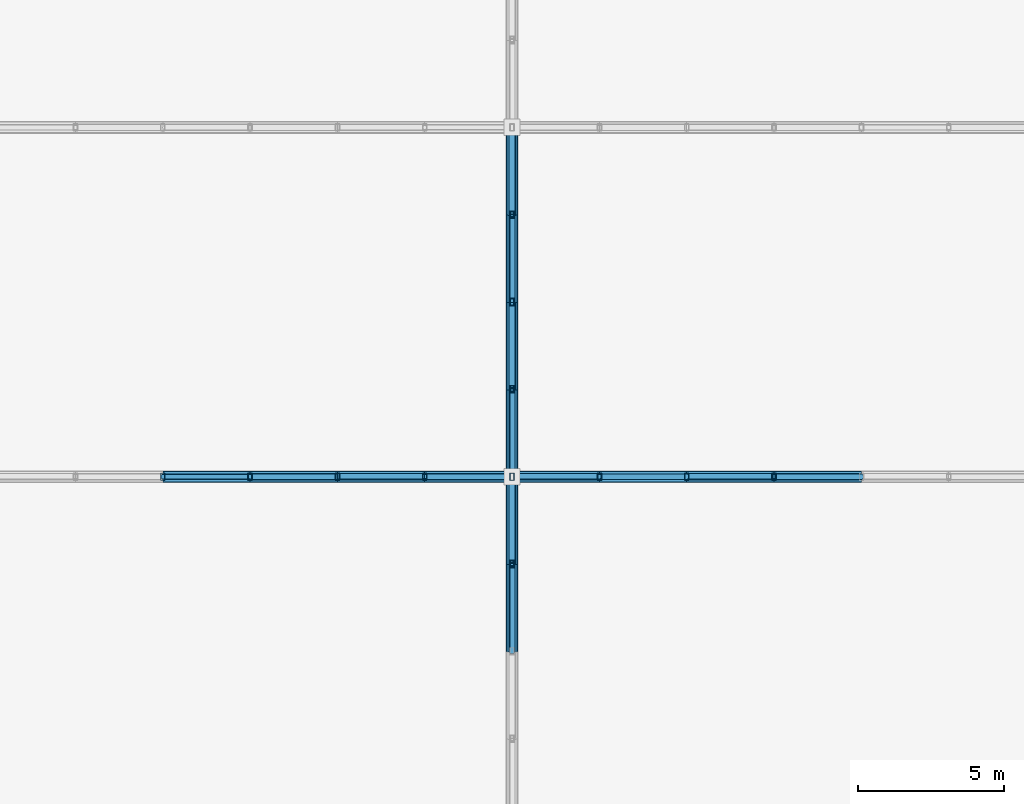
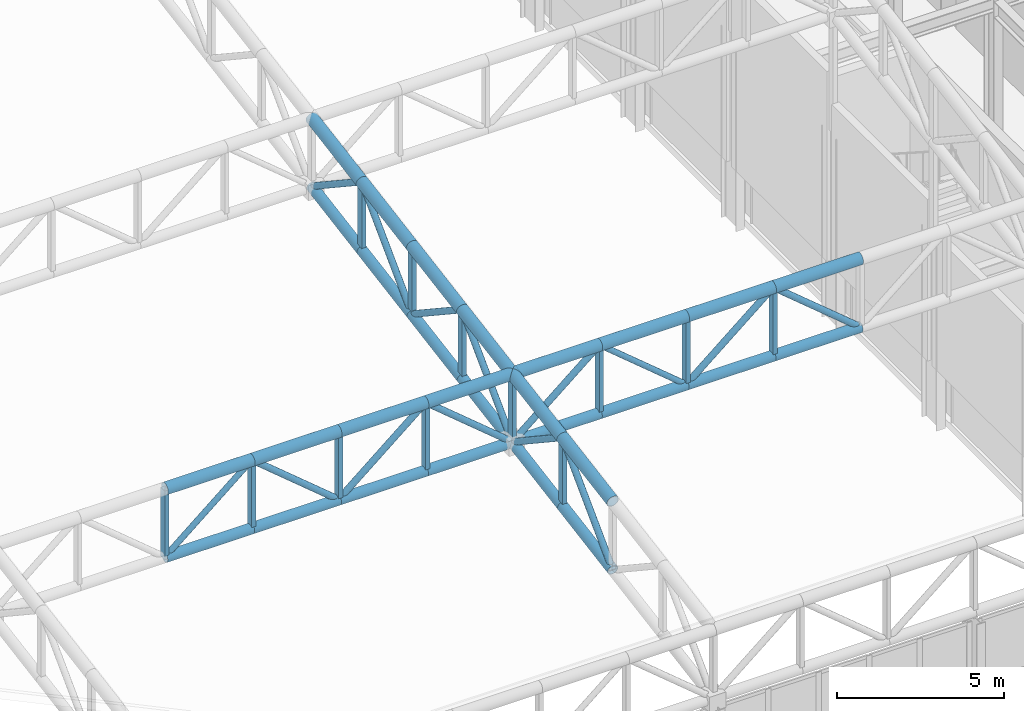
# One storey, part 73 of 239: 54 members.
"""IFC4 building model written with IfcOpenShell, lengths in metres."""

from ifc_helpers import new_model, si_unit, direction, frame, origin, origin_2d, place, context, subcontext, project, spatial, hollow_rectangle, hollow_circle, extrude, material, material_profile, profile_set, type_object, element, save


model = new_model("IFC4")

# Units and contexts
model_context = context("Model", 3, precision=1e-05, world=origin(), true_north=direction((0.0, 1.0)))
body_context = subcontext(model_context, "Body", "Model", "MODEL_VIEW")
ifc_project = project(units=[si_unit("LENGTHUNIT", "METRE"), si_unit("AREAUNIT", "SQUARE_METRE"), si_unit("VOLUMEUNIT", "CUBIC_METRE"), si_unit("PLANEANGLEUNIT", "RADIAN"), si_unit("MASSUNIT", "GRAM", prefix="KILO")], contexts=[model_context])

# Site, building, storey
site_placement = place(None, origin())
site = spatial("IfcSite", under=ifc_project, at=site_placement, CompositionType="ELEMENT")
building_placement = place(site_placement, origin())
building = spatial("IfcBuilding", under=site, at=building_placement, Name="Kaldris Quays Convention Centre", CompositionType="ELEMENT")
storey_placement = place(building_placement, frame((0.0, 0.0, 11.39990234375)))
storey = spatial("IfcBuildingStorey", under=building, at=storey_placement, Name="L02", CompositionType="ELEMENT", Elevation=11.39990234375)

# Members
ifc_material = material(Name="Steel S355J2H", Category="steel")
ifc_material_profile_1 = material_profile(ifc_material, hollow_circle(Radius=0.203125, WallThickness=0.01611328125, at=origin_2d()), Name="CHS 406.4x16")
ifc_profile_set_1 = profile_set([ifc_material_profile_1], Name="Steel S355J2H")
member_type_1 = type_object("IfcMemberType", Name="STRUCTURAL MEMBER SC01", PredefinedType="CHORD", material=ifc_profile_set_1)
for number, where, z_axis, x_axis, name in (
    (1, (116.0, 68.0, 11.72900390625), (1.0, 0.0, 0.0), (0.0, 1.0, 0.0), "SF-V1 Top Chord X 75"),
    (2, (119.0, 68.0, 11.72900390625), (1.0, 0.0, 0.0), (0.0, 1.0, 0.0), "SF-V1 Top Chord X 76"),
    (3, (122.0, 68.0, 11.72900390625), (1.0, 0.0, 0.0), (0.0, 1.0, 0.0), "SF-V1 Top Chord X 77"),
    (4, (125.0, 68.0, 11.72900390625), (1.0, 0.0, 0.0), (0.0, 1.0, 0.0), "SF-V1 Top Chord X 78"),
    (5, (128.0, 68.0, 11.72900390625), (1.0, 0.0, 0.0), (0.0, 1.0, 0.0), "SF-V1 Top Chord X 79"),
    (6, (131.0, 68.0, 11.72900390625), (1.0, 0.0, 0.0), (0.0, 1.0, 0.0), "SF-V1 Top Chord X 80"),
    (7, (134.0, 68.0, 11.72900390625), (1.0, 0.0, 0.0), (0.0, 1.0, 0.0), "SF-V1 Top Chord X 81"),
    (8, (137.0, 68.0, 11.72900390625), (1.0, 0.0, 0.0), (0.0, 1.0, 0.0), "SF-V1 Top Chord X 82"),
):
    element("IfcMember", number, at=place(storey_placement, frame(where, z_axis=z_axis, x_axis=x_axis)), inside=storey, type_object=member_type_1, Name=name, PredefinedType="CHORD", context=body_context, shape_type="SweptSolid", body=[
        extrude(hollow_circle(Radius=0.203125, WallThickness=0.01611328125, at=origin_2d()), origin(), (0.0, 0.0, 1.0), 3.0),
    ])
for number, where, z_axis, x_axis, name in (
    (9, (128.0, 62.0, 10.700439453125), (0.0, 0.985615766076, 0.169001661712), (-1.0, 0.0, 0.0), "SF-V1 Top Chord Y 507"),
    (10, (128.0, 65.0, 11.21484375), (0.0, 0.98562912375, 0.168923741424), (-1.0, 0.0, 0.0), "SF-V1 Top Chord Y 508"),
    (11, (128.0, 68.0, 11.72900390625), (0.0, 0.985615766076, 0.169001661712), (-1.0, 0.0, 0.0), "SF-V1 Top Chord Y 509"),
    (12, (128.0, 71.0, 12.243408203125), (0.0, 0.98562912375, 0.168923741424), (-1.0, 0.0, 0.0), "SF-V1 Top Chord Y 510"),
    (13, (128.0, 74.0, 12.757568359375), (0.0, 0.985615766076, 0.169001661712), (-1.0, 0.0, 0.0), "SF-V1 Top Chord Y 511"),
    (14, (128.0, 77.0, 13.27197265625), (0.0, 0.98562912375, 0.168923741424), (-1.0, 0.0, 0.0), "SF-V1 Top Chord Y 512"),
):
    element("IfcMember", number, at=place(storey_placement, frame(where, z_axis=z_axis, x_axis=x_axis)), inside=storey, type_object=member_type_1, Name=name, PredefinedType="CHORD", context=body_context, shape_type="SweptSolid", body=[
        extrude(hollow_circle(Radius=0.203125, WallThickness=0.01611328125, at=origin_2d()), origin(), (0.0, 0.0, 1.0), 3.043701171875),
    ])
ifc_material_profile_2 = material_profile(ifc_material, hollow_circle(Radius=0.177734375, WallThickness=0.01611328125, at=origin_2d()), Name="CHS 355.6x16")
ifc_profile_set_2 = profile_set([ifc_material_profile_2], Name="Steel S355J2H")
member_type_2 = type_object("IfcMemberType", Name="STRUCTURAL MEMBER SC02", PredefinedType="CHORD", material=ifc_profile_set_2)
for number, where, z_axis, x_axis, name in (
    (15, (116.0, 68.0, 9.22900390625), (1.0, 0.0, 0.0), (0.0, 1.0, 0.0), "SF-V1 Bottom Chord X 75"),
    (16, (119.0, 68.0, 9.22900390625), (1.0, 0.0, 0.0), (0.0, 1.0, 0.0), "SF-V1 Bottom Chord X 76"),
    (17, (122.0, 68.0, 9.22900390625), (1.0, 0.0, 0.0), (0.0, 1.0, 0.0), "SF-V1 Bottom Chord X 77"),
    (18, (125.0, 68.0, 9.22900390625), (1.0, 0.0, 0.0), (0.0, 1.0, 0.0), "SF-V1 Bottom Chord X 78"),
    (19, (128.0, 68.0, 9.22900390625), (1.0, 0.0, 0.0), (0.0, 1.0, 0.0), "SF-V1 Bottom Chord X 79"),
    (20, (131.0, 68.0, 9.22900390625), (1.0, 0.0, 0.0), (0.0, 1.0, 0.0), "SF-V1 Bottom Chord X 80"),
    (21, (134.0, 68.0, 9.22900390625), (1.0, 0.0, 0.0), (0.0, 1.0, 0.0), "SF-V1 Bottom Chord X 81"),
    (22, (137.0, 68.0, 9.22900390625), (1.0, 0.0, 0.0), (0.0, 1.0, 0.0), "SF-V1 Bottom Chord X 82"),
):
    element("IfcMember", number, at=place(storey_placement, frame(where, z_axis=z_axis, x_axis=x_axis)), inside=storey, type_object=member_type_2, Name=name, PredefinedType="CHORD", context=body_context, shape_type="SweptSolid", body=[
        extrude(hollow_circle(Radius=0.177734375, WallThickness=0.01611328125, at=origin_2d()), origin(), (0.0, 0.0, 1.0), 3.0),
    ])
for number, where, z_axis, x_axis, name in (
    (23, (128.0, 62.0, 8.200439453125), (0.0, 0.985615766076, 0.169001661712), (-1.0, 0.0, 0.0), "SF-V1 Bottom Chord Y 507"),
    (24, (128.0, 65.0, 8.71484375), (0.0, 0.98562912375, 0.168923741424), (-1.0, 0.0, 0.0), "SF-V1 Bottom Chord Y 508"),
    (25, (128.0, 68.0, 9.22900390625), (0.0, 0.985615766076, 0.169001661712), (-1.0, 0.0, 0.0), "SF-V1 Bottom Chord Y 509"),
    (26, (128.0, 71.0, 9.743408203125), (0.0, 0.98562912375, 0.168923741424), (-1.0, 0.0, 0.0), "SF-V1 Bottom Chord Y 510"),
    (27, (128.0, 74.0, 10.257568359375), (0.0, 0.985615766076, 0.169001661712), (-1.0, 0.0, 0.0), "SF-V1 Bottom Chord Y 511"),
    (28, (128.0, 77.0, 10.77197265625), (0.0, 0.98562912375, 0.168923741424), (-1.0, 0.0, 0.0), "SF-V1 Bottom Chord Y 512"),
):
    element("IfcMember", number, at=place(storey_placement, frame(where, z_axis=z_axis, x_axis=x_axis)), inside=storey, type_object=member_type_2, Name=name, PredefinedType="CHORD", context=body_context, shape_type="SweptSolid", body=[
        extrude(hollow_circle(Radius=0.177734375, WallThickness=0.01611328125, at=origin_2d()), origin(), (0.0, 0.0, 1.0), 3.043701171875),
    ])
ifc_material_profile_3 = material_profile(ifc_material, hollow_circle(Radius=0.109619140625, WallThickness=0.010009765625, at=origin_2d()), Name="CHS 219.1x10")
ifc_profile_set_3 = profile_set([ifc_material_profile_3], Name="Steel S355J2H")
member_type_3 = type_object("IfcMemberType", Name="STRUCTURAL MEMBER SWB1", PredefinedType="BRACE", material=ifc_profile_set_3)
for number, where, z_axis, x_axis, name in (
    (29, (122.0, 68.0, 9.22900390625), (-0.768221279597, 0.0, 0.640184399664), (0.0, -1.0, 0.0), "SF-V1 Web Diagonal X 76"),
    (30, (122.0, 68.0, 9.22900390625), (0.768221279597, 0.0, 0.640184399664), (0.0, 1.0, 0.0), "SF-V1 Web Diagonal X 77"),
    (31, (128.0, 68.0, 9.22900390625), (-0.768221279597, 0.0, 0.640184399664), (0.0, -1.0, 0.0), "SF-V1 Web Diagonal X 78"),
    (32, (128.0, 68.0, 9.22900390625), (0.768221279597, 0.0, 0.640184399664), (0.0, 1.0, 0.0), "SF-V1 Web Diagonal X 79"),
    (33, (134.0, 68.0, 9.22900390625), (0.768221279597, 0.0, 0.640184399664), (0.0, 1.0, 0.0), "SF-V1 Web Diagonal X 81"),
    (34, (140.0, 68.0, 9.22900390625), (-0.768221279597, 0.0, 0.640184399664), (0.0, -1.0, 0.0), "SF-V1 Web Diagonal X 82"),
):
    element("IfcMember", number, at=place(storey_placement, frame(where, z_axis=z_axis, x_axis=x_axis)), inside=storey, type_object=member_type_3, Name=name, PredefinedType="BRACE", context=body_context, shape_type="SweptSolid", body=[
        extrude(hollow_circle(Radius=0.109619140625, WallThickness=0.010009765625, at=origin_2d()), origin(), (0.0, 0.0, 1.0), 3.905029296875),
    ])
member_1_placement = place(storey_placement, frame((128.0, 62.0, 8.200439453125), z_axis=(0.0, 0.705411261057, 0.708798245465), x_axis=(-1.0, 0.0, 0.0)))
element("IfcMember", 35, at=member_1_placement, inside=storey, type_object=member_type_3, Name="SF-V1 Web Diagonal Y 507", PredefinedType="BRACE", context=body_context, shape_type="SweptSolid", body=[
    extrude(hollow_circle(Radius=0.109619140625, WallThickness=0.010009765625, at=origin_2d()), origin(), (0.0, 0.0, 1.0), 4.2529296875),
])
member_2_placement = place(storey_placement, frame((128.0, 68.0, 9.22900390625), z_axis=(0.0, -0.833862389808, 0.551972385962), x_axis=(1.0, 0.0, 0.0)))
element("IfcMember", 36, at=member_2_placement, inside=storey, type_object=member_type_3, Name="SF-V1 Web Diagonal Y 508", PredefinedType="BRACE", context=body_context, shape_type="SweptSolid", body=[
    extrude(hollow_circle(Radius=0.109619140625, WallThickness=0.010009765625, at=origin_2d()), origin(), (0.0, 0.0, 1.0), 3.59765625),
])
member_3_placement = place(storey_placement, frame((128.0, 68.0, 9.22900390625), z_axis=(0.0, 0.705411261057, 0.708798245465), x_axis=(-1.0, 0.0, 0.0)))
element("IfcMember", 37, at=member_3_placement, inside=storey, type_object=member_type_3, Name="SF-V1 Web Diagonal Y 509", PredefinedType="BRACE", context=body_context, shape_type="SweptSolid", body=[
    extrude(hollow_circle(Radius=0.109619140625, WallThickness=0.010009765625, at=origin_2d()), origin(), (0.0, 0.0, 1.0), 4.2529296875),
])
member_4_placement = place(storey_placement, frame((128.0, 74.0, 10.257568359375), z_axis=(0.0, -0.833862389808, 0.551972385962), x_axis=(1.0, 0.0, 0.0)))
element("IfcMember", 38, at=member_4_placement, inside=storey, type_object=member_type_3, Name="SF-V1 Web Diagonal Y 510", PredefinedType="BRACE", context=body_context, shape_type="SweptSolid", body=[
    extrude(hollow_circle(Radius=0.109619140625, WallThickness=0.010009765625, at=origin_2d()), origin(), (0.0, 0.0, 1.0), 3.59765625),
])
member_5_placement = place(storey_placement, frame((128.0, 74.0, 10.257568359375), z_axis=(0.0, 0.705411261057, 0.708798245465), x_axis=(-1.0, 0.0, 0.0)))
element("IfcMember", 39, at=member_5_placement, inside=storey, type_object=member_type_3, Name="SF-V1 Web Diagonal Y 511", PredefinedType="BRACE", context=body_context, shape_type="SweptSolid", body=[
    extrude(hollow_circle(Radius=0.109619140625, WallThickness=0.010009765625, at=origin_2d()), origin(), (0.0, 0.0, 1.0), 4.2529296875),
])
member_6_placement = place(storey_placement, frame((128.0, 80.0, 11.2861328125), z_axis=(0.0, -0.833862389808, 0.551972385962), x_axis=(1.0, 0.0, 0.0)))
element("IfcMember", 40, at=member_6_placement, inside=storey, type_object=member_type_3, Name="SF-V1 Web Diagonal Y 512", PredefinedType="BRACE", context=body_context, shape_type="SweptSolid", body=[
    extrude(hollow_circle(Radius=0.109619140625, WallThickness=0.010009765625, at=origin_2d()), origin(), (0.0, 0.0, 1.0), 3.59765625),
])
ifc_material_profile_4 = material_profile(ifc_material, hollow_circle(Radius=0.096923828125, WallThickness=0.008056640625, at=origin_2d()), Name="CHS 193.7x8")
ifc_profile_set_4 = profile_set([ifc_material_profile_4], Name="Steel S355J2H")
member_type_4 = type_object("IfcMemberType", Name="STRUCTURAL MEMBER SWB3", PredefinedType="BRACE", material=ifc_profile_set_4)
for number, where, z_axis, x_axis, name in (
    (41, (116.0, 68.0, 9.22900390625), (0.768221279597, 0.0, 0.640184399664), (0.0, 1.0, 0.0), "SF-V1 Web Diagonal X 75"),
    (42, (134.0, 68.0, 9.22900390625), (-0.768221279597, 0.0, 0.640184399664), (0.0, -1.0, 0.0), "SF-V1 Web Diagonal X 80"),
):
    element("IfcMember", number, at=place(storey_placement, frame(where, z_axis=z_axis, x_axis=x_axis)), inside=storey, type_object=member_type_4, Name=name, PredefinedType="BRACE", context=body_context, shape_type="SweptSolid", body=[
        extrude(hollow_circle(Radius=0.096923828125, WallThickness=0.008056640625, at=origin_2d()), origin(), (0.0, 0.0, 1.0), 3.905029296875),
    ])
ifc_material_profile_5 = material_profile(ifc_material, hollow_rectangle(XDim=0.14990234375, YDim=0.25, WallThickness=0.010009765625, at=origin_2d()), Name="RHS 250x150x10")
ifc_profile_set_5 = profile_set([ifc_material_profile_5], Name="Steel S355J2H")
member_type_5 = type_object("IfcMemberType", Name="STRUCTURAL MEMBER TTV1", PredefinedType="POST", material=ifc_profile_set_5)
for number, where, z_axis, x_axis, name in (
    (43, (116.0, 68.0, 9.22900390625), (0.0, 0.0, 1.0), (1.0, 0.0, 0.0), "SF-V1 Space-Frame Post 384"),
    (44, (119.0, 68.0, 9.22900390625), (0.0, 0.0, 1.0), (1.0, 0.0, 0.0), "SF-V1 Space-Frame Post 392"),
    (45, (122.0, 68.0, 9.22900390625), (0.0, 0.0, 1.0), (1.0, 0.0, 0.0), "SF-V1 Space-Frame Post 400"),
    (46, (125.0, 68.0, 9.22900390625), (0.0, 0.0, 1.0), (1.0, 0.0, 0.0), "SF-V1 Space-Frame Post 408"),
    (47, (128.0, 65.0, 8.71484375), (0.0, 0.0, 1.0), (1.0, 0.0, 0.0), "SF-V1 Space-Frame Post 418"),
    (48, (128.0, 68.0, 9.22900390625), (0.0, 0.0, 1.0), (1.0, 0.0, 0.0), "SF-V1 Space-Frame Post 419"),
    (49, (128.0, 71.0, 9.743408203125), (0.0, 0.0, 1.0), (1.0, 0.0, 0.0), "SF-V1 Space-Frame Post 420"),
    (50, (128.0, 74.0, 10.257568359375), (0.0, 0.0, 1.0), (1.0, 0.0, 0.0), "SF-V1 Space-Frame Post 421"),
    (51, (128.0, 77.0, 10.77197265625), (0.0, 0.0, 1.0), (1.0, 0.0, 0.0), "SF-V1 Space-Frame Post 422"),
    (52, (131.0, 68.0, 9.22900390625), (0.0, 0.0, 1.0), (1.0, 0.0, 0.0), "SF-V1 Space-Frame Post 445"),
    (53, (134.0, 68.0, 9.22900390625), (0.0, 0.0, 1.0), (1.0, 0.0, 0.0), "SF-V1 Space-Frame Post 453"),
    (54, (137.0, 68.0, 9.22900390625), (0.0, 0.0, 1.0), (1.0, 0.0, 0.0), "SF-V1 Space-Frame Post 461"),
):
    element("IfcMember", number, at=place(storey_placement, frame(where, z_axis=z_axis, x_axis=x_axis)), inside=storey, type_object=member_type_5, Name=name, PredefinedType="POST", context=body_context, shape_type="SweptSolid", body=[
        extrude(hollow_rectangle(XDim=0.14990234375, YDim=0.25, WallThickness=0.010009765625, at=origin_2d()), origin(), (0.0, 0.0, 1.0), 2.5),
    ])

save(model, "model.ifc")
